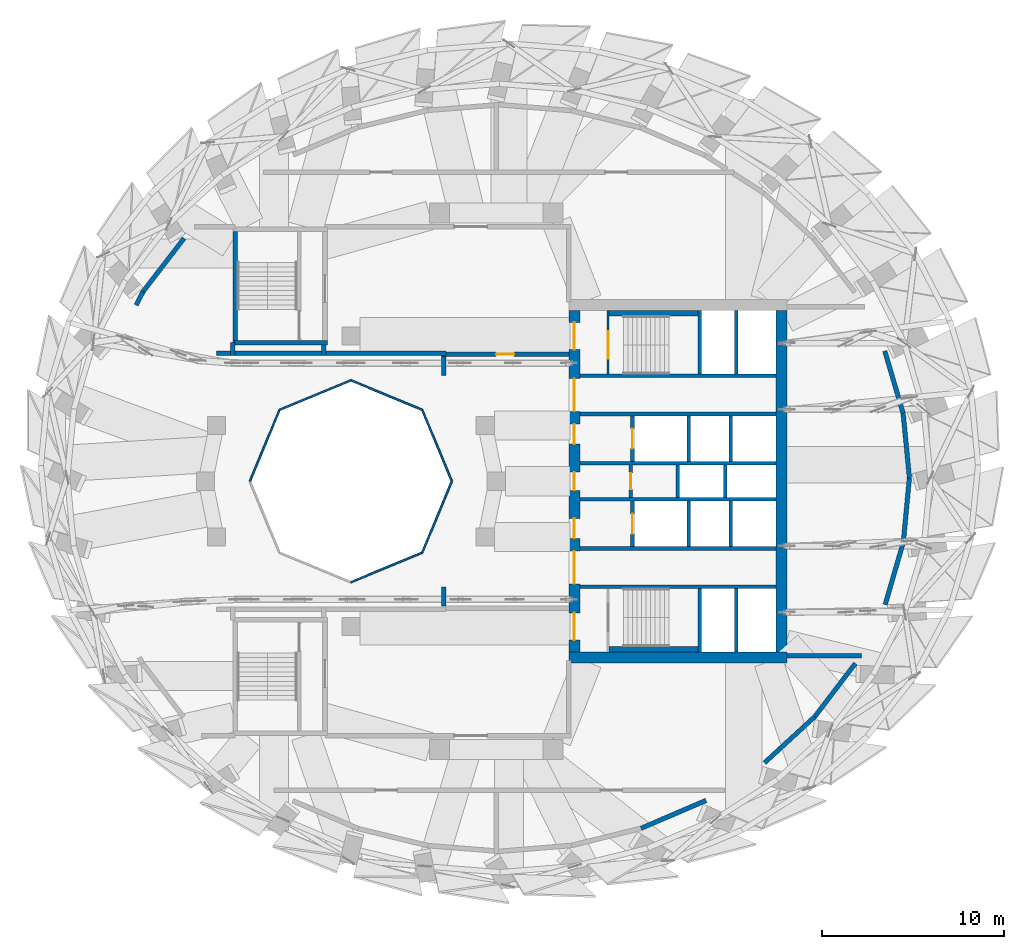
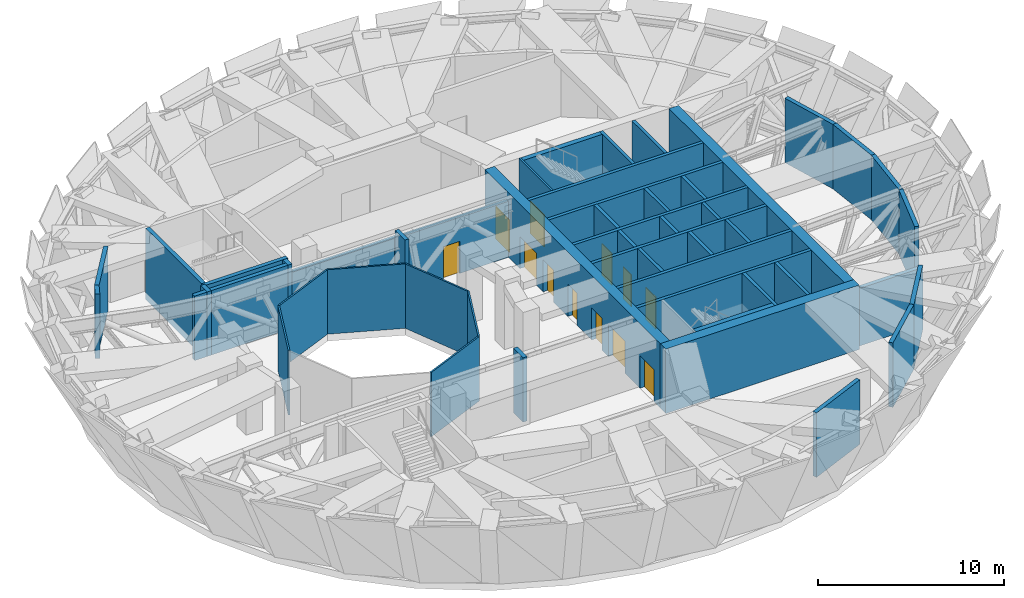
# One storey, part 8 of 16: 51 walls, 12 doors, 12 openings.
"""IFC4 building model written with IfcOpenShell, lengths in metres."""

from ifc_helpers import new_model, si_unit, direction, frame, frame_2d, origin, place, context, subcontext, project, spatial, rectangle, extrude, material, layer, layer_set, type_object, element, fill, save


model = new_model("IFC4")

# Units and contexts
model_context = context("Model", 3, precision=1e-05, world=origin(), true_north=direction((0.0, 1.0)))
body_context = subcontext(model_context, "Body", "Model", "MODEL_VIEW")
ifc_project = project(units=[si_unit("LENGTHUNIT", "METRE"), si_unit("AREAUNIT", "SQUARE_METRE"), si_unit("VOLUMEUNIT", "CUBIC_METRE"), si_unit("PLANEANGLEUNIT", "RADIAN"), si_unit("MASSUNIT", "GRAM", prefix="KILO")], contexts=[model_context])

# Site, building, storey
site_placement = place(None, origin())
site = spatial("IfcSite", under=ifc_project, at=site_placement, CompositionType="ELEMENT")
building_placement = place(site_placement, origin())
building = spatial("IfcBuilding", under=site, at=building_placement, Name="Taillehof Tower", CompositionType="ELEMENT")
storey_placement = place(building_placement, frame((0.0, 0.0, 184.699951171875)))
storey = spatial("IfcBuildingStorey", under=building, at=storey_placement, Name="L52", CompositionType="ELEMENT", Elevation=184.699951171875)

# Walls
ifc_material_1 = material(Name="Fire-resisting glass in steel frame", Category="steel")
ifc_layer_1 = layer(ifc_material_1, 0.10009765625)
ifc_layer_set_1 = layer_set([ifc_layer_1], Name="Atrium fire-resisting screen EI 60 100")
wall_type_1 = type_object("IfcWallType", Name="Atrium fire-resisting screen EI 60 100", PredefinedType="PARTITIONING", material=ifc_layer_set_1)
for number, where, z_axis, x_axis, name in (
    (1, (-2.44580078125, 0.0, 0.0), (0.0, 0.0, 1.0), (-0.382730523909, -0.923860025149, 0.0), "Atrium screen"),
    (2, (-4.07275390625, -3.92724609375, 0.0), (0.0, 0.0, 1.0), (-0.923860025149, -0.382730523909, 0.0), "Atrium screen"),
    (3, (-13.55419921875, 0.0, 0.0), (0.0, 0.0, 1.0), (0.382730523909, 0.923860025149, 0.0), "Atrium screen"),
    (4, (-11.92724609375, 3.92724609375, 0.0), (0.0, 0.0, 1.0), (0.923860025149, 0.382730523909, 0.0), "Atrium screen"),
    (5, (-8.0, 5.55419921875, 0.0), (0.0, 0.0, 1.0), (0.923860025149, -0.382730523909, 0.0), "Atrium screen"),
    (6, (-4.07275390625, 3.92724609375, 0.0), (0.0, 0.0, 1.0), (0.382730523909, -0.923860025149, 0.0), "Atrium screen"),
):
    element("IfcWall", number, at=place(storey_placement, frame(where, z_axis=z_axis, x_axis=x_axis)), inside=storey, type_object=wall_type_1, Name=name, PredefinedType="PARTITIONING", context=body_context, shape_type="SweptSolid", body=[
        extrude(rectangle(XDim=4.2509765625, YDim=0.10009765625, at=frame_2d((2.12548828125, 0.0))), origin(), (0.0, 0.0, 1.0), 4.219970703125),
    ])

# Wall, opening, door
ifc_material_2 = material(Name="Calcium silicate masonry", Category="masonry")
ifc_layer_2 = layer(ifc_material_2, 0.199951171875)
ifc_layer_set_2 = layer_set([ifc_layer_2], Name="Compartment wall calcium silicate 200")
wall_type_2 = type_object("IfcWallType", Name="Compartment wall calcium silicate 200", PredefinedType="PARTITIONING", material=ifc_layer_set_2)
wall_1_placement = place(storey_placement, frame((7.39990234375, -0.89990234375, 0.0), z_axis=(0.0, 0.0, 1.0), x_axis=(0.0, 1.0, 0.0)))
wall_1 = element("IfcWall", 7, at=wall_1_placement, inside=storey, type_object=wall_type_2, Name="Compartment wall FW", PredefinedType="PARTITIONING", context=body_context, shape_type="SweptSolid", body=[
    extrude(rectangle(XDim=1.7998046875, YDim=0.199951171875, at=frame_2d((0.89990234375, 0.0))), origin(), (0.0, 0.0, 1.0), 4.219970703125),
])
opening_1_placement = place(wall_1_placement, frame((0.449951171875, 0.0, 0.0)))
opening_1 = element("IfcOpeningElement", 8, at=opening_1_placement, cuts=wall_1, Name="Opening D5212", PredefinedType="OPENING", context=body_context, shape_type="SweptSolid", body=[
    extrude(rectangle(XDim=0.89990234375, YDim=2.10009765625, at=frame_2d((0.449951171875, 1.050048828125))), frame((0.0, 0.10986328125, 0.0), z_axis=(0.0, -1.0, 0.0), x_axis=(1.0, 0.0, 0.0)), (0.0, 0.0, 1.0), 0.219970703125),
])
ifc_material_3 = material(Name="Steel-faced fire door", Category="steel")
door_type_1 = type_object("IfcDoorType", Name="Riser and service room door 900x2100", OperationType="SINGLE_SWING_LEFT", PredefinedType="DOOR", material=ifc_material_3)
door_1_placement = place(opening_1_placement, origin())
door_1 = element("IfcDoor", 9, at=door_1_placement, inside=storey, type_object=door_type_1, Name="Door Waste Room", OperationType="SINGLE_SWING_RIGHT", OverallHeight=2.10009765625, OverallWidth=0.89990234375, PredefinedType="DOOR", context=body_context, shape_type="SweptSolid", body=[
    extrude(rectangle(XDim=0.89990234375, YDim=2.10009765625, at=frame_2d((0.449951171875, 1.050048828125))), frame((0.0, 0.02490234375, 0.0), z_axis=(0.0, -1.0, 0.0), x_axis=(1.0, 0.0, 0.0)), (0.0, 0.0, 1.0), 0.050048828125),
])
fill(opening_1, door_1)

# Walls
for number, where, z_axis, x_axis, name in (
    (10, (10.0, -0.89990234375, 0.0), (0.0, 0.0, 1.0), (0.0, 1.0, 0.0), "Compartment wall FW"),
    (11, (12.60009765625, -0.89990234375, 0.0), (0.0, 0.0, 1.0), (0.0, 1.0, 0.0), "Compartment wall FW"),
):
    element("IfcWall", number, at=place(storey_placement, frame(where, z_axis=z_axis, x_axis=x_axis)), inside=storey, type_object=wall_type_2, Name=name, PredefinedType="PARTITIONING", context=body_context, shape_type="SweptSolid", body=[
        extrude(rectangle(XDim=1.7998046875, YDim=0.199951171875, at=frame_2d((0.89990234375, 0.0))), origin(), (0.0, 0.0, 1.0), 4.219970703125),
    ])
ifc_material_4 = material(Name="Calcium silicate masonry", Category="masonry")
ifc_layer_3 = layer(ifc_material_4, 0.300048828125)
ifc_layer_set_3 = layer_set([ifc_layer_3], Name="Compartment wall lining calcium silicate 300")
wall_type_3 = type_object("IfcWallType", Name="Compartment wall lining calcium silicate 300", PredefinedType="PARTITIONING", material=ifc_layer_set_3)
for number, where, z_axis, x_axis, name in (
    (12, (6.219970703125, 9.25, 0.0), (0.0, 0.0, 1.0), (1.0, 0.0, 0.0), "Compartment wall FW"),
    (13, (6.219970703125, -9.25, 0.0), (0.0, 0.0, 1.0), (1.0, 0.0, 0.0), "Compartment wall FW"),
):
    element("IfcWall", number, at=place(storey_placement, frame(where, z_axis=z_axis, x_axis=x_axis)), inside=storey, type_object=wall_type_3, Name=name, PredefinedType="PARTITIONING", context=body_context, shape_type="SweptSolid", body=[
        extrude(rectangle(XDim=4.880126953125, YDim=0.300048828125, at=frame_2d((2.43994140625, 0.0))), origin(), (0.0, 0.0, 1.0), 4.219970703125),
    ])

# Wall, openings, doors
ifc_material_5 = material(Name="Concrete C80/95", Category="concrete")
ifc_layer_4 = layer(ifc_material_5, 0.60009765625)
ifc_layer_set_4 = layer_set([ifc_layer_4], Name="Core wall C80/95 600")
wall_type_4 = type_object("IfcWallType", Name="Core wall C80/95 600", PredefinedType="SHEAR", material=ifc_layer_set_4)
wall_2_placement = place(storey_placement, frame((4.300048828125, -9.39990234375, 0.0), z_axis=(0.0, 0.0, 1.0), x_axis=(0.0, 1.0, 0.0)))
wall_2 = element("IfcWall", 14, at=wall_2_placement, inside=storey, type_object=wall_type_4, Name="Core wall CW01", PredefinedType="SHEAR", context=body_context, shape_type="SweptSolid", body=[
    extrude(rectangle(XDim=18.7998046875, YDim=0.60009765625, at=frame_2d((9.39990234375, 0.0))), origin(), (0.0, 0.0, 1.0), 4.219970703125),
])
opening_2_placement = place(wall_2_placement, frame((0.64990234375, 0.0, 0.0)))
opening_2 = element("IfcOpeningElement", 15, at=opening_2_placement, cuts=wall_2, Name="Opening D5201", PredefinedType="OPENING", context=body_context, shape_type="SweptSolid", body=[
    extrude(rectangle(XDim=1.5, YDim=2.10009765625, at=frame_2d((0.75, 1.050048828125))), frame((0.0, 0.31005859375, 0.0), z_axis=(0.0, -1.0, 0.0), x_axis=(1.0, 0.0, 0.0)), (0.0, 0.0, 1.0), 0.6201171875),
])
opening_3_placement = place(wall_2_placement, frame((3.75, 0.0, 0.0)))
opening_3 = element("IfcOpeningElement", 16, at=opening_3_placement, cuts=wall_2, Name="Opening D5202", PredefinedType="OPENING", context=body_context, shape_type="SweptSolid", body=[
    extrude(rectangle(XDim=1.800048828125, YDim=2.10009765625, at=frame_2d((0.89990234375, 1.050048828125))), frame((0.0, 0.31005859375, 0.0), z_axis=(0.0, -1.0, 0.0), x_axis=(1.0, 0.0, 0.0)), (0.0, 0.0, 1.0), 0.6201171875),
])
opening_4_placement = place(wall_2_placement, frame((6.25, 0.0, 0.0)))
opening_4 = element("IfcOpeningElement", 17, at=opening_4_placement, cuts=wall_2, Name="Opening D5203", PredefinedType="OPENING", context=body_context, shape_type="SweptSolid", body=[
    extrude(rectangle(XDim=1.10009765625, YDim=2.10009765625, at=frame_2d((0.550048828125, 1.050048828125))), frame((0.0, 0.31005859375, 0.0), z_axis=(0.0, -1.0, 0.0), x_axis=(1.0, 0.0, 0.0)), (0.0, 0.0, 1.0), 0.6201171875),
])
opening_5_placement = place(wall_2_placement, frame((8.89990234375, 0.0, 0.0)))
opening_5 = element("IfcOpeningElement", 18, at=opening_5_placement, cuts=wall_2, Name="Opening D5204", PredefinedType="OPENING", context=body_context, shape_type="SweptSolid", body=[
    extrude(rectangle(XDim=1.0, YDim=2.10009765625, at=frame_2d((0.5, 1.050048828125))), frame((0.0, 0.31005859375, 0.0), z_axis=(0.0, -1.0, 0.0), x_axis=(1.0, 0.0, 0.0)), (0.0, 0.0, 1.0), 0.6201171875),
])
opening_6_placement = place(wall_2_placement, frame((11.449951171875, 0.0, 0.0)))
opening_6 = element("IfcOpeningElement", 19, at=opening_6_placement, cuts=wall_2, Name="Opening D5205", PredefinedType="OPENING", context=body_context, shape_type="SweptSolid", body=[
    extrude(rectangle(XDim=1.10009765625, YDim=2.10009765625, at=frame_2d((0.550048828125, 1.050048828125))), frame((0.0, 0.31005859375, 0.0), z_axis=(0.0, -1.0, 0.0), x_axis=(1.0, 0.0, 0.0)), (0.0, 0.0, 1.0), 0.6201171875),
])
opening_7_placement = place(wall_2_placement, frame((13.25, 0.0, 0.0)))
opening_7 = element("IfcOpeningElement", 20, at=opening_7_placement, cuts=wall_2, Name="Opening D5206", PredefinedType="OPENING", context=body_context, shape_type="SweptSolid", body=[
    extrude(rectangle(XDim=1.800048828125, YDim=2.10009765625, at=frame_2d((0.89990234375, 1.050048828125))), frame((0.0, 0.31005859375, 0.0), z_axis=(0.0, -1.0, 0.0), x_axis=(1.0, 0.0, 0.0)), (0.0, 0.0, 1.0), 0.6201171875),
])
opening_8_placement = place(wall_2_placement, frame((16.64990234375, 0.0, 0.0)))
opening_8 = element("IfcOpeningElement", 21, at=opening_8_placement, cuts=wall_2, Name="Opening D5207", PredefinedType="OPENING", context=body_context, shape_type="SweptSolid", body=[
    extrude(rectangle(XDim=1.5, YDim=2.10009765625, at=frame_2d((0.75, 1.050048828125))), frame((0.0, 0.31005859375, 0.0), z_axis=(0.0, -1.0, 0.0), x_axis=(1.0, 0.0, 0.0)), (0.0, 0.0, 1.0), 0.6201171875),
])
ifc_material_6 = material(Name="Steel-faced fire door", Category="steel")
door_type_2 = type_object("IfcDoorType", Name="Firefighting lobby door 1100x2100", OperationType="SINGLE_SWING_RIGHT", PredefinedType="DOOR", material=ifc_material_6)
door_2_placement = place(opening_4_placement, origin())
door_2 = element("IfcDoor", 22, at=door_2_placement, inside=storey, type_object=door_type_2, Name="Firefighting lobby door FFL-S", OperationType="SINGLE_SWING_RIGHT", OverallHeight=2.10009765625, OverallWidth=1.10009765625, PredefinedType="DOOR", context=body_context, shape_type="SweptSolid", body=[
    extrude(rectangle(XDim=1.10009765625, YDim=2.10009765625, at=frame_2d((0.550048828125, 1.050048828125))), frame((0.0, 0.02490234375, 0.0), z_axis=(0.0, -1.0, 0.0), x_axis=(1.0, 0.0, 0.0)), (0.0, 0.0, 1.0), 0.050048828125),
])
fill(opening_4, door_2)
door_3_placement = place(opening_6_placement, origin())
door_3 = element("IfcDoor", 23, at=door_3_placement, inside=storey, type_object=door_type_2, Name="Firefighting lobby door FFL-N", OperationType="SINGLE_SWING_LEFT", OverallHeight=2.10009765625, OverallWidth=1.10009765625, PredefinedType="DOOR", context=body_context, shape_type="SweptSolid", body=[
    extrude(rectangle(XDim=1.10009765625, YDim=2.10009765625, at=frame_2d((0.550048828125, 1.050048828125))), frame((0.0, 0.02490234375, 0.0), z_axis=(0.0, -1.0, 0.0), x_axis=(1.0, 0.0, 0.0)), (0.0, 0.0, 1.0), 0.050048828125),
])
fill(opening_6, door_3)
ifc_material_7 = material(Name="Steel-faced fire door", Category="steel")
door_type_3 = type_object("IfcDoorType", Name="Lift lobby door 1800x2100", OperationType="DOUBLE_DOOR_SINGLE_SWING", PredefinedType="DOOR", material=ifc_material_7)
door_4_placement = place(opening_3_placement, origin())
door_4 = element("IfcDoor", 24, at=door_4_placement, inside=storey, type_object=door_type_3, Name="Lift lobby door LL-S", OperationType="DOUBLE_DOOR_SINGLE_SWING", OverallHeight=2.10009765625, OverallWidth=1.800048828125, PredefinedType="DOOR", context=body_context, shape_type="SweptSolid", body=[
    extrude(rectangle(XDim=1.800048828125, YDim=2.10009765625, at=frame_2d((0.89990234375, 1.050048828125))), frame((0.0, 0.02490234375, 0.0), z_axis=(0.0, -1.0, 0.0), x_axis=(1.0, 0.0, 0.0)), (0.0, 0.0, 1.0), 0.050048828125),
])
fill(opening_3, door_4)
door_5_placement = place(opening_7_placement, origin())
door_5 = element("IfcDoor", 25, at=door_5_placement, inside=storey, type_object=door_type_3, Name="Lift lobby door LL-N", OperationType="DOUBLE_DOOR_SINGLE_SWING", OverallHeight=2.10009765625, OverallWidth=1.800048828125, PredefinedType="DOOR", context=body_context, shape_type="SweptSolid", body=[
    extrude(rectangle(XDim=1.800048828125, YDim=2.10009765625, at=frame_2d((0.89990234375, 1.050048828125))), frame((0.0, 0.02490234375, 0.0), z_axis=(0.0, -1.0, 0.0), x_axis=(1.0, 0.0, 0.0)), (0.0, 0.0, 1.0), 0.050048828125),
])
fill(opening_7, door_5)
ifc_material_8 = material(Name="Steel-faced fire door", Category="steel")
door_type_4 = type_object("IfcDoorType", Name="Service door 1000x2100", OperationType="SINGLE_SWING_RIGHT", PredefinedType="DOOR", material=ifc_material_8)
door_6_placement = place(opening_5_placement, origin())
door_6 = element("IfcDoor", 26, at=door_6_placement, inside=storey, type_object=door_type_4, Name="Service door SV", OperationType="SINGLE_SWING_RIGHT", OverallHeight=2.10009765625, OverallWidth=1.0, PredefinedType="DOOR", context=body_context, shape_type="SweptSolid", body=[
    extrude(rectangle(XDim=1.0, YDim=2.10009765625, at=frame_2d((0.5, 1.050048828125))), frame((0.0, 0.02490234375, 0.0), z_axis=(0.0, -1.0, 0.0), x_axis=(1.0, 0.0, 0.0)), (0.0, 0.0, 1.0), 0.050048828125),
])
fill(opening_5, door_6)
ifc_material_9 = material(Name="Steel-faced fire door", Category="steel")
door_type_5 = type_object("IfcDoorType", Name="Stair door 1500x2100", OperationType="DOUBLE_DOOR_SINGLE_SWING", PredefinedType="DOOR", material=ifc_material_9)
door_7_placement = place(opening_2_placement, origin())
door_7 = element("IfcDoor", 27, at=door_7_placement, inside=storey, type_object=door_type_5, Name="Stair door S2", OperationType="DOUBLE_DOOR_SINGLE_SWING", OverallHeight=2.10009765625, OverallWidth=1.5, PredefinedType="DOOR", context=body_context, shape_type="SweptSolid", body=[
    extrude(rectangle(XDim=1.5, YDim=2.10009765625, at=frame_2d((0.75, 1.050048828125))), frame((0.0, 0.02490234375, 0.0), z_axis=(0.0, -1.0, 0.0), x_axis=(1.0, 0.0, 0.0)), (0.0, 0.0, 1.0), 0.050048828125),
])
fill(opening_2, door_7)
door_8_placement = place(opening_8_placement, origin())
door_8 = element("IfcDoor", 28, at=door_8_placement, inside=storey, type_object=door_type_5, Name="Stair door S1", OperationType="DOUBLE_DOOR_SINGLE_SWING", OverallHeight=2.10009765625, OverallWidth=1.5, PredefinedType="DOOR", context=body_context, shape_type="SweptSolid", body=[
    extrude(rectangle(XDim=1.5, YDim=2.10009765625, at=frame_2d((0.75, 1.050048828125))), frame((0.0, 0.02490234375, 0.0), z_axis=(0.0, -1.0, 0.0), x_axis=(1.0, 0.0, 0.0)), (0.0, 0.0, 1.0), 0.050048828125),
])
fill(opening_8, door_8)

# Walls
wall_3_placement = place(storey_placement, frame((15.699951171875, -9.39990234375, 0.0), z_axis=(0.0, 0.0, 1.0), x_axis=(0.0, 1.0, 0.0)))
element("IfcWall", 29, at=wall_3_placement, inside=storey, type_object=wall_type_4, Name="Core wall CW05", PredefinedType="SHEAR", context=body_context, shape_type="SweptSolid", body=[
    extrude(rectangle(XDim=18.7998046875, YDim=0.60009765625, at=frame_2d((9.39990234375, 0.0))), origin(), (0.0, 0.0, 1.0), 4.219970703125),
])
wall_4_placement = place(storey_placement, frame((4.0, -9.699951171875, 0.0), z_axis=(0.0, 0.0, 1.0), x_axis=(1.0, 0.0, 0.0)))
element("IfcWall", 30, at=wall_4_placement, inside=storey, type_object=wall_type_4, Name="Core wall CW07", PredefinedType="SHEAR", context=body_context, shape_type="SweptSolid", body=[
    extrude(rectangle(XDim=12.0, YDim=0.60009765625, at=frame_2d((6.0, 0.0))), origin(), (0.0, 0.0, 1.0), 4.219970703125),
])
ifc_material_10 = material(Name="Calcium silicate blockwork", Category="masonry")
ifc_layer_5 = layer(ifc_material_10, 0.25)
ifc_layer_set_5 = layer_set([ifc_layer_5], Name="Fire-resisting wall EI 120 250 mm")
wall_type_5 = type_object("IfcWallType", Name="Fire-resisting wall EI 120 250 mm", PredefinedType="PARTITIONING", material=ifc_layer_set_5)
wall_5_placement = place(storey_placement, frame((14.764892578125, -15.498291015625, 0.0), z_axis=(0.0, 0.0, 1.0), x_axis=(0.736371276914, 0.676577669256, 0.0)))
element("IfcWall", 31, at=wall_5_placement, inside=storey, type_object=wall_type_5, Name="Wall TRB / L52-05", PredefinedType="PARTITIONING", context=body_context, shape_type="SweptSolid", body=[
    extrude(rectangle(XDim=3.75634765625, YDim=0.25, at=frame_2d((1.878173828125, 0.0))), origin(), (0.0, 0.0, 1.0), 4.219970703125),
])
wall_6_placement = place(storey_placement, frame((17.531005859375, -12.956787109375, 0.0), z_axis=(0.0, 0.0, 1.0), x_axis=(0.606326433884, 0.795215854704, 0.0)))
element("IfcWall", 32, at=wall_6_placement, inside=storey, type_object=wall_type_5, Name="Wall TRB / L52-05", PredefinedType="PARTITIONING", context=body_context, shape_type="SweptSolid", body=[
    extrude(rectangle(XDim=3.6875, YDim=0.25, at=frame_2d((1.84375, 0.0))), origin(), (0.0, 0.0, 1.0), 4.219970703125),
])
wall_7_placement = place(storey_placement, frame((-19.435546875, 10.441162109375, 0.0), z_axis=(0.0, 0.0, 1.0), x_axis=(-0.456102398343, -0.889927301652, 0.0)))
element("IfcWall", 33, at=wall_7_placement, inside=storey, type_object=wall_type_5, Name="Wall TRB / L52-10", PredefinedType="PARTITIONING", context=body_context, shape_type="SweptSolid", body=[
    extrude(rectangle(XDim=0.8330078125, YDim=0.25, at=frame_2d((0.41650390625, 0.0))), origin(), (0.0, 0.0, 1.0), 4.219970703125),
])
wall_8_placement = place(storey_placement, frame((-17.182373046875, 13.371337890625, 0.0), z_axis=(0.0, 0.0, 1.0), x_axis=(-0.609573495828, -0.792729558666, 0.0)))
element("IfcWall", 34, at=wall_8_placement, inside=storey, type_object=wall_type_5, Name="Wall TRB / L52-10", PredefinedType="PARTITIONING", context=body_context, shape_type="SweptSolid", body=[
    extrude(rectangle(XDim=3.6962890625, YDim=0.25, at=frame_2d((1.84814453125, 0.0))), origin(), (0.0, 0.0, 1.0), 4.219970703125),
])
wall_9_placement = place(storey_placement, frame((7.97314453125, -19.10009765625, 0.0), z_axis=(0.0, 0.0, 1.0), x_axis=(0.919076811857, 0.394078436238, 0.0)))
element("IfcWall", 35, at=wall_9_placement, inside=storey, type_object=wall_type_5, Name="Wall TRB / L52-09", PredefinedType="PARTITIONING", context=body_context, shape_type="SweptSolid", body=[
    extrude(rectangle(XDim=3.88818359375, YDim=0.25, at=frame_2d((1.944091796875, 0.0))), origin(), (0.0, 0.0, 1.0), 4.219970703125),
])
wall_10_placement = place(storey_placement, frame((22.39599609375, 3.731201171875, 0.0), z_axis=(0.0, 0.0, 1.0), x_axis=(-0.282155257138, 0.959368756459, 0.0)))
element("IfcWall", 36, at=wall_10_placement, inside=storey, type_object=wall_type_5, Name="Wall TRB / TRE", PredefinedType="PARTITIONING", context=body_context, shape_type="SweptSolid", body=[
    extrude(rectangle(XDim=3.5830078125, YDim=0.25, at=frame_2d((1.79150390625, 0.0))), origin(), (0.0, 0.0, 1.0), 4.219970703125),
])
wall_11_placement = place(storey_placement, frame((21.40673828125, -6.789794921875, 0.0), z_axis=(0.0, 0.0, 1.0), x_axis=(0.279167220818, 0.96024250209, 0.0)))
element("IfcWall", 37, at=wall_11_placement, inside=storey, type_object=wall_type_5, Name="Wall TRB / TRE", PredefinedType="PARTITIONING", context=body_context, shape_type="SweptSolid", body=[
    extrude(rectangle(XDim=3.580322265625, YDim=0.25, at=frame_2d((1.7900390625, 0.0))), origin(), (0.0, 0.0, 1.0), 4.219970703125),
])
for number, where, z_axis, x_axis, name in (
    (38, (22.73974609375, 0.190185546875, 0.0), (0.0, 0.0, 1.0), (-0.096622456906, 0.995321104379, 0.0), "Wall TRB / TRE"),
    (39, (22.40625, -3.351806640625, 0.0), (0.0, 0.0, 1.0), (0.093740354468, 0.995596678351, 0.0), "Wall TRB / TRE"),
):
    element("IfcWall", number, at=place(storey_placement, frame(where, z_axis=z_axis, x_axis=x_axis)), inside=storey, type_object=wall_type_5, Name=name, PredefinedType="PARTITIONING", context=body_context, shape_type="SweptSolid", body=[
        extrude(rectangle(XDim=3.5576171875, YDim=0.25, at=frame_2d((1.77880859375, 0.0))), origin(), (0.0, 0.0, 1.0), 4.219970703125),
    ])
wall_12_placement = place(storey_placement, frame((15.998046875, -9.60009765625, 0.0), z_axis=(0.0, 0.0, 1.0), x_axis=(1.0, 0.0, 0.0)))
element("IfcWall", 40, at=wall_12_placement, inside=storey, type_object=wall_type_5, Name="Wall TRE / L52-05", PredefinedType="PARTITIONING", context=body_context, shape_type="SweptSolid", body=[
    extrude(rectangle(XDim=4.10888671875, YDim=0.25, at=frame_2d((2.054443359375, 0.0))), origin(), (0.0, 0.0, 1.0), 3.77001953125),
])

# Wall, opening, door
wall_13_placement = place(storey_placement, frame((-3.02490234375, 7.0, 0.0), z_axis=(0.0, 0.0, 1.0), x_axis=(1.0, 0.0, 0.0)))
wall_13 = element("IfcWall", 41, at=wall_13_placement, inside=storey, type_object=wall_type_5, Name="Wall L52-01 / L52-03", PredefinedType="PARTITIONING", context=body_context, shape_type="SweptSolid", body=[
    extrude(rectangle(XDim=7.02685546875, YDim=0.25, at=frame_2d((3.513427734375, 0.0))), origin(), (0.0, 0.0, 1.0), 3.670166015625),
])
opening_9_placement = place(wall_13_placement, frame((3.012939453125, 0.0, 0.0)))
opening_9 = element("IfcOpeningElement", 42, at=opening_9_placement, cuts=wall_13, Name="Opening D5244", PredefinedType="OPENING", context=body_context, shape_type="SweptSolid", body=[
    extrude(rectangle(XDim=1.0, YDim=2.10009765625, at=frame_2d((0.5, 1.050048828125))), frame((0.0, 0.135009765625, 0.0), z_axis=(0.0, -1.0, 0.0), x_axis=(1.0, 0.0, 0.0)), (0.0, 0.0, 1.0), 0.27001953125),
])
ifc_material_11 = material(Name="Hollow metal door set")
door_type_6 = type_object("IfcDoorType", Name="Single door 1000 x 2100 FD120S", OperationType="SINGLE_SWING_LEFT", PredefinedType="DOOR", material=ifc_material_11)
door_9_placement = place(opening_9_placement, origin())
door_9 = element("IfcDoor", 43, at=door_9_placement, inside=storey, type_object=door_type_6, Name="Door D5244", OperationType="SINGLE_SWING_LEFT", OverallHeight=2.10009765625, OverallWidth=1.0, PredefinedType="DOOR", context=body_context, shape_type="SweptSolid", body=[
    extrude(rectangle(XDim=1.0, YDim=2.10009765625, at=frame_2d((0.5, 1.050048828125))), frame((0.0, 0.02490234375, 0.0), z_axis=(0.0, -1.0, 0.0), x_axis=(1.0, 0.0, 0.0)), (0.0, 0.0, 1.0), 0.050048828125),
])
fill(opening_9, door_9)

# Walls
wall_14_placement = place(storey_placement, frame((-15.402099609375, 7.050048828125, 0.0), z_axis=(0.0, 0.0, 1.0), x_axis=(1.0, 0.0, 0.0)))
element("IfcWall", 44, at=wall_14_placement, inside=storey, type_object=wall_type_5, Name="Wall TROT5 / L52-10", PredefinedType="PARTITIONING", context=body_context, shape_type="SweptSolid", body=[
    extrude(rectangle(XDim=0.777099609375, YDim=0.25, at=frame_2d((0.388671875, 0.0))), origin(), (0.0, 0.0, 1.0), 4.219970703125),
])
wall_15_placement = place(storey_placement, frame((-14.375, 7.050048828125, 0.0), z_axis=(0.0, 0.0, 1.0), x_axis=(1.0, 0.0, 0.0)))
element("IfcWall", 45, at=wall_15_placement, inside=storey, type_object=wall_type_5, Name="Wall TROT5 / L52-13", PredefinedType="PARTITIONING", context=body_context, shape_type="SweptSolid", body=[
    extrude(rectangle(XDim=4.75, YDim=0.25, at=frame_2d((2.375, 0.0))), origin(), (0.0, 0.0, 1.0), 4.219970703125),
])
wall_16_placement = place(storey_placement, frame((-9.375, 7.050048828125, 0.0), z_axis=(0.0, 0.0, 1.0), x_axis=(1.0, 0.0, 0.0)))
element("IfcWall", 46, at=wall_16_placement, inside=storey, type_object=wall_type_5, Name="Wall TROT5 / L52-01", PredefinedType="PARTITIONING", context=body_context, shape_type="SweptSolid", body=[
    extrude(rectangle(XDim=6.60009765625, YDim=0.25, at=frame_2d((3.300048828125, 0.0))), origin(), (0.0, 0.0, 1.0), 3.670166015625),
])
wall_17_placement = place(storey_placement, frame((-14.5, 6.925048828125, 0.0), z_axis=(0.0, 0.0, 1.0), x_axis=(0.0, 1.0, 0.0)))
element("IfcWall", 47, at=wall_17_placement, inside=storey, type_object=wall_type_5, Name="Wall L52-10 / L52-13", PredefinedType="PARTITIONING", context=body_context, shape_type="SweptSolid", body=[
    extrude(rectangle(XDim=0.699951171875, YDim=0.25, at=frame_2d((0.35009765625, 0.0))), origin(), (0.0, 0.0, 1.0), 4.219970703125),
])
wall_18_placement = place(storey_placement, frame((-9.5, 6.925048828125, 0.0), z_axis=(0.0, 0.0, 1.0), x_axis=(0.0, 1.0, 0.0)))
element("IfcWall", 48, at=wall_18_placement, inside=storey, type_object=wall_type_5, Name="Wall L52-01 / L52-13", PredefinedType="PARTITIONING", context=body_context, shape_type="SweptSolid", body=[
    extrude(rectangle(XDim=0.576904296875, YDim=0.25, at=frame_2d((0.28857421875, 0.0))), origin(), (0.0, 0.0, 1.0), 4.219970703125),
])
for number, where, z_axis, x_axis, name in (
    (49, (-2.89990234375, -6.875, 0.0), (0.0, 0.0, 1.0), (0.0, 1.0, 0.0), "Wall TROT6 / L52-03"),
    (50, (-2.89990234375, 5.824951171875, 0.0), (0.0, 0.0, 1.0), (0.0, 1.0, 0.0), "Wall TROT5 / L52-03"),
):
    element("IfcWall", number, at=place(storey_placement, frame(where, z_axis=z_axis, x_axis=x_axis)), inside=storey, type_object=wall_type_5, Name=name, PredefinedType="PARTITIONING", context=body_context, shape_type="SweptSolid", body=[
        extrude(rectangle(XDim=1.050048828125, YDim=0.25, at=frame_2d((0.52490234375, 0.0))), origin(), (0.0, 0.0, 1.0), 4.219970703125),
    ])
ifc_material_12 = material(Name="Concrete C50/60", Category="concrete")
ifc_layer_6 = layer(ifc_material_12, 0.199951171875)
ifc_layer_set_6 = layer_set([ifc_layer_6], Name="Shaft wall C50/60 200")
wall_type_6 = type_object("IfcWallType", Name="Shaft wall C50/60 200", PredefinedType="SHEAR", material=ifc_layer_set_6)
for number, where, z_axis, x_axis, name in (
    (51, (4.60009765625, 5.800048828125, 0.0), (0.0, 0.0, 1.0), (1.0, 0.0, 0.0), "Shaft wall SW"),
    (52, (4.60009765625, 3.699951171875, 0.0), (0.0, 0.0, 1.0), (1.0, 0.0, 0.0), "Shaft wall SW"),
    (53, (4.60009765625, 1.0, 0.0), (0.0, 0.0, 1.0), (1.0, 0.0, 0.0), "Shaft wall SW"),
    (54, (4.60009765625, -1.0, 0.0), (0.0, 0.0, 1.0), (1.0, 0.0, 0.0), "Shaft wall SW"),
    (55, (4.60009765625, -3.699951171875, 0.0), (0.0, 0.0, 1.0), (1.0, 0.0, 0.0), "Shaft wall SW"),
    (56, (4.60009765625, -5.800048828125, 0.0), (0.0, 0.0, 1.0), (1.0, 0.0, 0.0), "Shaft wall SW"),
):
    element("IfcWall", number, at=place(storey_placement, frame(where, z_axis=z_axis, x_axis=x_axis)), inside=storey, type_object=wall_type_6, Name=name, PredefinedType="SHEAR", context=body_context, shape_type="SweptSolid", body=[
        extrude(rectangle(XDim=10.7998046875, YDim=0.199951171875, at=frame_2d((5.39990234375, 0.0))), origin(), (0.0, 0.0, 1.0), 4.219970703125),
    ])
for number, where, z_axis, x_axis, name in (
    (57, (11.199951171875, 5.89990234375, 0.0), (0.0, 0.0, 1.0), (0.0, 1.0, 0.0), "Shaft wall SW"),
    (58, (11.199951171875, -9.39990234375, 0.0), (0.0, 0.0, 1.0), (0.0, 1.0, 0.0), "Shaft wall SW"),
    (59, (13.199951171875, 5.89990234375, 0.0), (0.0, 0.0, 1.0), (0.0, 1.0, 0.0), "Shaft wall SW"),
    (60, (13.199951171875, -9.39990234375, 0.0), (0.0, 0.0, 1.0), (0.0, 1.0, 0.0), "Shaft wall SW"),
):
    element("IfcWall", number, at=place(storey_placement, frame(where, z_axis=z_axis, x_axis=x_axis)), inside=storey, type_object=wall_type_6, Name=name, PredefinedType="SHEAR", context=body_context, shape_type="SweptSolid", body=[
        extrude(rectangle(XDim=3.5, YDim=0.199951171875, at=frame_2d((1.75, 0.0))), origin(), (0.0, 0.0, 1.0), 4.219970703125),
    ])

# Wall, opening, door
wall_19_placement = place(storey_placement, frame((7.5, 1.10009765625, 0.0), z_axis=(0.0, 0.0, 1.0), x_axis=(0.0, 1.0, 0.0)))
wall_19 = element("IfcWall", 61, at=wall_19_placement, inside=storey, type_object=wall_type_6, Name="Shaft wall SW", PredefinedType="SHEAR", context=body_context, shape_type="SweptSolid", body=[
    extrude(rectangle(XDim=2.5, YDim=0.199951171875, at=frame_2d((1.25, 0.0))), origin(), (0.0, 0.0, 1.0), 4.219970703125),
])
opening_10_placement = place(wall_19_placement, frame((0.699951171875, 0.0, 0.0)))
opening_10 = element("IfcOpeningElement", 62, at=opening_10_placement, cuts=wall_19, Name="Opening LD1", PredefinedType="OPENING", context=body_context, shape_type="SweptSolid", body=[
    extrude(rectangle(XDim=1.10009765625, YDim=2.10009765625, at=frame_2d((0.550048828125, 1.050048828125))), frame((0.0, 0.10986328125, 0.0), z_axis=(0.0, -1.0, 0.0), x_axis=(1.0, 0.0, 0.0)), (0.0, 0.0, 1.0), 0.219970703125),
])
ifc_material_13 = material(Name="Stainless steel", Category="steel")
door_type_7 = type_object("IfcDoorType", Name="Lift landing door LD1 1100x2100", OperationType="DOUBLE_DOOR_SLIDING", PredefinedType="DOOR", material=ifc_material_13)
door_10_placement = place(opening_10_placement, origin())
door_10 = element("IfcDoor", 63, at=door_10_placement, inside=storey, type_object=door_type_7, Name="Landing door FF1", OperationType="DOUBLE_DOOR_SLIDING", OverallHeight=2.10009765625, OverallWidth=1.10009765625, PredefinedType="DOOR", context=body_context, shape_type="SweptSolid", body=[
    extrude(rectangle(XDim=1.10009765625, YDim=2.10009765625, at=frame_2d((0.550048828125, 1.050048828125))), frame((0.0, 0.02490234375, 0.0), z_axis=(0.0, -1.0, 0.0), x_axis=(1.0, 0.0, 0.0)), (0.0, 0.0, 1.0), 0.050048828125),
])
fill(opening_10, door_10)

wall_20_placement = place(storey_placement, frame((7.5, -3.60009765625, 0.0), z_axis=(0.0, 0.0, 1.0), x_axis=(0.0, 1.0, 0.0)))
wall_20 = element("IfcWall", 64, at=wall_20_placement, inside=storey, type_object=wall_type_6, Name="Shaft wall SW", PredefinedType="SHEAR", context=body_context, shape_type="SweptSolid", body=[
    extrude(rectangle(XDim=2.5, YDim=0.199951171875, at=frame_2d((1.25, 0.0))), origin(), (0.0, 0.0, 1.0), 4.219970703125),
])
opening_11_placement = place(wall_20_placement, frame((0.699951171875, 0.0, 0.0)))
opening_11 = element("IfcOpeningElement", 65, at=opening_11_placement, cuts=wall_20, Name="Opening LD1", PredefinedType="OPENING", context=body_context, shape_type="SweptSolid", body=[
    extrude(rectangle(XDim=1.10009765625, YDim=2.10009765625, at=frame_2d((0.550048828125, 1.050048828125))), frame((0.0, 0.10986328125, 0.0), z_axis=(0.0, -1.0, 0.0), x_axis=(1.0, 0.0, 0.0)), (0.0, 0.0, 1.0), 0.219970703125),
])
door_11_placement = place(opening_11_placement, origin())
door_11 = element("IfcDoor", 66, at=door_11_placement, inside=storey, type_object=door_type_7, Name="Landing door FF2", OperationType="DOUBLE_DOOR_SLIDING", OverallHeight=2.10009765625, OverallWidth=1.10009765625, PredefinedType="DOOR", context=body_context, shape_type="SweptSolid", body=[
    extrude(rectangle(XDim=1.10009765625, YDim=2.10009765625, at=frame_2d((0.550048828125, 1.050048828125))), frame((0.0, 0.02490234375, 0.0), z_axis=(0.0, -1.0, 0.0), x_axis=(1.0, 0.0, 0.0)), (0.0, 0.0, 1.0), 0.050048828125),
])
fill(opening_11, door_11)

# Walls
for number, where, z_axis, x_axis, name in (
    (67, (10.60009765625, 1.10009765625, 0.0), (0.0, 0.0, 1.0), (0.0, 1.0, 0.0), "Shaft wall SW"),
    (68, (10.60009765625, -3.60009765625, 0.0), (0.0, 0.0, 1.0), (0.0, 1.0, 0.0), "Shaft wall SW"),
    (69, (12.89990234375, 1.10009765625, 0.0), (0.0, 0.0, 1.0), (0.0, 1.0, 0.0), "Shaft wall SW"),
    (70, (12.89990234375, -3.60009765625, 0.0), (0.0, 0.0, 1.0), (0.0, 1.0, 0.0), "Shaft wall SW"),
):
    element("IfcWall", number, at=place(storey_placement, frame(where, z_axis=z_axis, x_axis=x_axis)), inside=storey, type_object=wall_type_6, Name=name, PredefinedType="SHEAR", context=body_context, shape_type="SweptSolid", body=[
        extrude(rectangle(XDim=2.5, YDim=0.199951171875, at=frame_2d((1.25, 0.0))), origin(), (0.0, 0.0, 1.0), 4.219970703125),
    ])

# Wall, opening, door
ifc_material_14 = material(Name="Concrete C50/60", Category="concrete")
ifc_layer_7 = layer(ifc_material_14, 0.1201171875)
ifc_layer_set_7 = layer_set([ifc_layer_7], Name="Stair lobby wall C50/60 120")
wall_type_7 = type_object("IfcWallType", Name="Stair lobby wall C50/60 120", PredefinedType="SHEAR", material=ifc_layer_set_7)
wall_21_placement = place(storey_placement, frame((6.159912109375, 5.89990234375, 0.0), z_axis=(0.0, 0.0, 1.0), x_axis=(0.0, 1.0, 0.0)))
wall_21 = element("IfcWall", 71, at=wall_21_placement, inside=storey, type_object=wall_type_7, Name="Compartment wall SW", PredefinedType="SHEAR", context=body_context, shape_type="SweptSolid", body=[
    extrude(rectangle(XDim=3.5, YDim=0.1201171875, at=frame_2d((1.75, 0.0))), origin(), (0.0, 0.0, 1.0), 4.219970703125),
])
opening_12_placement = place(wall_21_placement, frame((0.85009765625, 0.0, 0.0)))
opening_12 = element("IfcOpeningElement", 72, at=opening_12_placement, cuts=wall_21, Name="Opening D5208", PredefinedType="OPENING", context=body_context, shape_type="SweptSolid", body=[
    extrude(rectangle(XDim=1.5, YDim=2.10009765625, at=frame_2d((0.75, 1.050048828125))), frame((0.0, 0.070068359375, 0.0), z_axis=(0.0, -1.0, 0.0), x_axis=(1.0, 0.0, 0.0)), (0.0, 0.0, 1.0), 0.14013671875),
])
door_12_placement = place(opening_12_placement, origin())
door_12 = element("IfcDoor", 73, at=door_12_placement, inside=storey, type_object=door_type_5, Name="Stair lobby door S1", OperationType="DOUBLE_DOOR_SINGLE_SWING", OverallHeight=2.10009765625, OverallWidth=1.5, PredefinedType="DOOR", context=body_context, shape_type="SweptSolid", body=[
    extrude(rectangle(XDim=1.5, YDim=2.10009765625, at=frame_2d((0.75, 1.050048828125))), frame((0.0, 0.02490234375, 0.0), z_axis=(0.0, -1.0, 0.0), x_axis=(1.0, 0.0, 0.0)), (0.0, 0.0, 1.0), 0.050048828125),
])
fill(opening_12, door_12)

# Walls
ifc_material_15 = material(Name="Concrete C50/60", Category="concrete")
ifc_layer_8 = layer(ifc_material_15, 0.25)
ifc_layer_set_8 = layer_set([ifc_layer_8], Name="Stair wall C50/60 250")
wall_type_8 = type_object("IfcWallType", Name="Stair wall C50/60 250", PredefinedType="SHEAR", material=ifc_layer_set_8)
wall_22_placement = place(storey_placement, frame((-14.375, 7.75, -0.449951171875), z_axis=(0.0, 0.0, 1.0), x_axis=(0.0, 1.0, 0.0)))
element("IfcWall", 74, at=wall_22_placement, inside=storey, type_object=wall_type_8, Name="Stair wall SC", PredefinedType="SHEAR", context=body_context, shape_type="SweptSolid", body=[
    extrude(rectangle(XDim=6.0, YDim=0.25, at=frame_2d((3.0, 0.0))), origin(), (0.0, 0.0, 1.0), 4.669921875),
])
wall_23_placement = place(storey_placement, frame((-14.5, 7.625, -0.449951171875), z_axis=(0.0, 0.0, 1.0), x_axis=(1.0, 0.0, 0.0)))
element("IfcWall", 75, at=wall_23_placement, inside=storey, type_object=wall_type_8, Name="Stair wall SC", PredefinedType="SHEAR", context=body_context, shape_type="SweptSolid", body=[
    extrude(rectangle(XDim=5.199951171875, YDim=0.25, at=frame_2d((2.60009765625, 0.0))), origin(), (0.0, 0.0, 1.0), 4.669921875),
])

save(model, "model.ifc")
